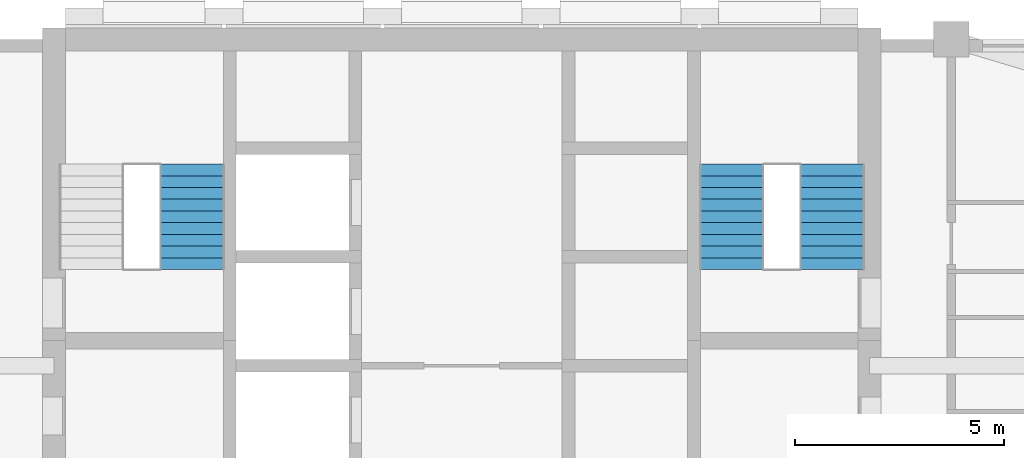
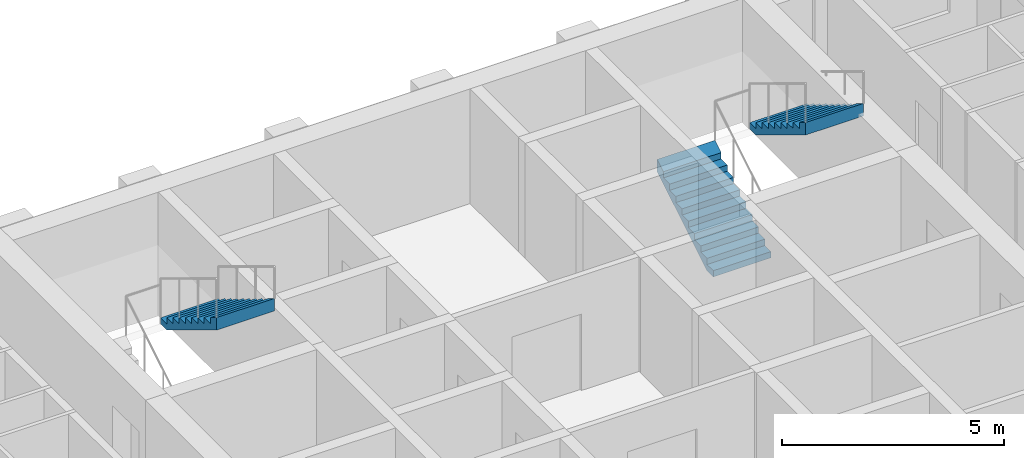
# One storey, part 11 of 13: 3 stair flights, 2 elements without a shape of their own.
"""IFC4 building model written with IfcOpenShell, lengths in metres."""

from ifc_helpers import new_model, si_unit, direction, frame, origin, place, context, subcontext, project, spatial, triangles, material, type_object, element, aggregate, save


model = new_model("IFC4")

# Units and contexts
model_context = context("Model", 3, precision=1e-05, world=origin(), true_north=direction((0.0, 1.0)))
body_context = subcontext(model_context, "Body", "Model", "MODEL_VIEW")
ifc_project = project(units=[si_unit("LENGTHUNIT", "METRE"), si_unit("AREAUNIT", "SQUARE_METRE"), si_unit("VOLUMEUNIT", "CUBIC_METRE"), si_unit("PLANEANGLEUNIT", "RADIAN"), si_unit("MASSUNIT", "GRAM", prefix="KILO")], contexts=[model_context])

# Site, building, storey
site_placement = place(None, origin())
site = spatial("IfcSite", under=ifc_project, at=site_placement, CompositionType="ELEMENT")
building_placement = place(site_placement, origin())
building = spatial("IfcBuilding", under=site, at=building_placement, Name="Ludao Terraces", CompositionType="ELEMENT")
storey_placement = place(building_placement, frame((0.0, 0.0, 130.5)))
storey = spatial("IfcBuildingStorey", under=building, at=storey_placement, Name="L35", CompositionType="ELEMENT", Elevation=130.5)

# Stair, stair flight
ifc_material = material(Name="Concrete C40", Category="concrete")
stair_type = type_object("IfcStairType", Name="INT Stair", PredefinedType="HALF_TURN_STAIR", material=ifc_material)
stair_1_placement = place(storey_placement, origin())
stair_1 = element("IfcStair", 1, at=stair_1_placement, inside=storey, type_object=stair_type, Name="EXIT STAIR 1", PredefinedType="HALF_TURN_STAIR")
stair_flight_type = type_object("IfcStairFlightType", Name="INT Stair flight", PredefinedType="STRAIGHT", material=ifc_material)
stair_flight_1_placement = place(storey_placement, frame((78.550048828125, 81.52001953125, 1.699951171875), z_axis=(0.0, 0.0, 1.0), x_axis=(0.0, -1.0, 0.0)))
stair_flight_1 = element("IfcStairFlight", 2, at=stair_flight_1_placement, type_object=stair_flight_type, Name="ST1 flight 2", NumberOfRisers=10, NumberOfTreads=9, PredefinedType="STRAIGHT", RiserHeight=0.17, TreadLength=0.28, context=body_context, shape_type="Tessellation", body=[
    triangles([(0.0, -0.75, 0.0), (0.0, -0.5, 0.0), (0.0, -0.25, 0.0), (0.0, 0.0, 0.0), (0.0, 0.25, 0.0), (0.0, 0.5, 0.0), (0.0, 0.75, 0.0), (0.0, -0.75, 0.169921875), (0.0, -0.5, 0.169921875), (0.0, -0.25, 0.169921875), (0.0, 0.0, 0.169921875), (0.0, 0.25, 0.169921875), (0.0, 0.5, 0.169921875), (0.0, 0.75, 0.169921875), (0.280029296875, -0.75, 0.169921875), (0.280029296875, -0.5, 0.169921875), (0.280029296875, -0.25, 0.169921875), (0.280029296875, 0.0, 0.169921875), (0.280029296875, 0.25, 0.169921875), (0.280029296875, 0.5, 0.169921875), (0.280029296875, 0.75, 0.169921875), (0.280029296875, -0.75, 0.340087890625), (0.280029296875, -0.5, 0.340087890625), (0.280029296875, -0.25, 0.340087890625), (0.280029296875, 0.0, 0.340087890625), (0.280029296875, 0.25, 0.340087890625), (0.280029296875, 0.5, 0.340087890625), (0.280029296875, 0.75, 0.340087890625), (0.56005859375, -0.75, 0.340087890625), (0.56005859375, -0.5, 0.340087890625), (0.56005859375, -0.25, 0.340087890625), (0.56005859375, 0.0, 0.340087890625), (0.56005859375, 0.25, 0.340087890625), (0.56005859375, 0.5, 0.340087890625), (0.56005859375, 0.75, 0.340087890625), (0.56005859375, -0.75, 0.510009765625), (0.56005859375, -0.5, 0.510009765625), (0.56005859375, -0.25, 0.510009765625), (0.56005859375, 0.0, 0.510009765625), (0.56005859375, 0.25, 0.510009765625), (0.56005859375, 0.5, 0.510009765625), (0.56005859375, 0.75, 0.510009765625), (0.840087890625, -0.75, 0.510009765625), (0.840087890625, -0.5, 0.510009765625), (0.840087890625, -0.25, 0.510009765625), (0.840087890625, 0.0, 0.510009765625), (0.840087890625, 0.25, 0.510009765625), (0.840087890625, 0.5, 0.510009765625), (0.840087890625, 0.75, 0.510009765625), (0.840087890625, -0.75, 0.679931640625), (0.840087890625, -0.5, 0.679931640625), (0.840087890625, -0.25, 0.679931640625), (0.840087890625, 0.0, 0.679931640625), (0.840087890625, 0.25, 0.679931640625), (0.840087890625, 0.5, 0.679931640625), (0.840087890625, 0.75, 0.679931640625), (1.1201171875, -0.75, 0.679931640625), (1.1201171875, -0.5, 0.679931640625), (1.1201171875, -0.25, 0.679931640625), (1.1201171875, 0.0, 0.679931640625), (1.1201171875, 0.25, 0.679931640625), (1.1201171875, 0.5, 0.679931640625), (1.1201171875, 0.75, 0.679931640625), (1.1201171875, -0.75, 0.85009765625), (1.1201171875, -0.5, 0.85009765625), (1.1201171875, -0.25, 0.85009765625), (1.1201171875, 0.0, 0.85009765625), (1.1201171875, 0.25, 0.85009765625), (1.1201171875, 0.5, 0.85009765625), (1.1201171875, 0.75, 0.85009765625), (1.39990234375, -0.75, 0.85009765625), (1.39990234375, -0.5, 0.85009765625), (1.39990234375, -0.25, 0.85009765625), (1.39990234375, 0.0, 0.85009765625), (1.39990234375, 0.25, 0.85009765625), (1.39990234375, 0.5, 0.85009765625), (1.39990234375, 0.75, 0.85009765625), (1.39990234375, -0.75, 1.02001953125), (1.39990234375, -0.5, 1.02001953125), (1.39990234375, -0.25, 1.02001953125), (1.39990234375, 0.0, 1.02001953125), (1.39990234375, 0.25, 1.02001953125), (1.39990234375, 0.5, 1.02001953125), (1.39990234375, 0.75, 1.02001953125), (1.679931640625, -0.75, 1.02001953125), (1.679931640625, -0.5, 1.02001953125), (1.679931640625, -0.25, 1.02001953125), (1.679931640625, 0.0, 1.02001953125), (1.679931640625, 0.25, 1.02001953125), (1.679931640625, 0.5, 1.02001953125), (1.679931640625, 0.75, 1.02001953125), (1.679931640625, -0.75, 1.18994140625), (1.679931640625, -0.5, 1.18994140625), (1.679931640625, -0.25, 1.18994140625), (1.679931640625, 0.0, 1.18994140625), (1.679931640625, 0.25, 1.18994140625), (1.679931640625, 0.5, 1.18994140625), (1.679931640625, 0.75, 1.18994140625), (1.9599609375, -0.75, 1.18994140625), (1.9599609375, -0.5, 1.18994140625), (1.9599609375, -0.25, 1.18994140625), (1.9599609375, 0.0, 1.18994140625), (1.9599609375, 0.25, 1.18994140625), (1.9599609375, 0.5, 1.18994140625), (1.9599609375, 0.75, 1.18994140625), (1.9599609375, -0.75, 1.360107421875), (1.9599609375, -0.5, 1.360107421875), (1.9599609375, -0.25, 1.360107421875), (1.9599609375, 0.0, 1.360107421875), (1.9599609375, 0.25, 1.360107421875), (1.9599609375, 0.5, 1.360107421875), (1.9599609375, 0.75, 1.360107421875), (2.239990234375, -0.75, 1.360107421875), (2.239990234375, -0.5, 1.360107421875), (2.239990234375, -0.25, 1.360107421875), (2.239990234375, 0.0, 1.360107421875), (2.239990234375, 0.25, 1.360107421875), (2.239990234375, 0.5, 1.360107421875), (2.239990234375, 0.75, 1.360107421875), (2.239990234375, -0.75, 1.530029296875), (2.239990234375, -0.5, 1.530029296875), (2.239990234375, -0.25, 1.530029296875), (2.239990234375, 0.0, 1.530029296875), (2.239990234375, 0.25, 1.530029296875), (2.239990234375, 0.5, 1.530029296875), (2.239990234375, 0.75, 1.530029296875), (2.52001953125, -0.75, 1.699951171875), (2.52001953125, -0.5, 1.699951171875), (2.52001953125, -0.25, 1.699951171875), (2.52001953125, 0.0, 1.699951171875), (2.52001953125, 0.25, 1.699951171875), (2.52001953125, 0.5, 1.699951171875), (2.52001953125, 0.75, 1.699951171875), (2.52001953125, -0.75, 1.354736328125), (2.52001953125, -0.5, 1.354736328125), (2.52001953125, -0.25, 1.354736328125), (2.52001953125, 0.0, 1.354736328125), (2.52001953125, 0.25, 1.354736328125), (2.52001953125, 0.5, 1.354736328125), (2.52001953125, 0.75, 1.354736328125), (0.288818359375, -0.75, 0.0), (0.288818359375, -0.5, 0.0), (0.288818359375, -0.25, 0.0), (0.288818359375, 0.0, 0.0), (0.288818359375, 0.25, 0.0), (0.288818359375, 0.5, 0.0), (0.288818359375, 0.75, 0.0)], [[1, 141, 134], [7, 140, 147], [134, 127, 120], [140, 126, 133], [134, 120, 113], [140, 119, 126], [134, 113, 106], [140, 112, 119], [134, 106, 99], [140, 105, 112], [99, 92, 85], [105, 91, 98], [134, 99, 85], [140, 91, 105], [85, 78, 71], [91, 77, 84], [134, 85, 71], [140, 77, 91], [71, 64, 57], [77, 63, 70], [134, 71, 57], [140, 63, 77], [57, 50, 43], [63, 49, 56], [134, 57, 43], [140, 49, 63], [43, 36, 29], [49, 35, 42], [134, 43, 29], [140, 35, 49], [29, 22, 15], [35, 21, 28], [134, 29, 15], [140, 21, 35], [1, 134, 15], [7, 21, 140], [15, 8, 1], [21, 7, 14], [1, 9, 2], [1, 8, 9], [2, 10, 3], [2, 9, 10], [3, 11, 4], [3, 10, 11], [4, 12, 5], [4, 11, 12], [5, 13, 6], [5, 12, 13], [6, 14, 7], [6, 13, 14], [8, 16, 9], [8, 15, 16], [9, 17, 10], [9, 16, 17], [10, 18, 11], [10, 17, 18], [11, 19, 12], [11, 18, 19], [12, 20, 13], [12, 19, 20], [13, 21, 14], [13, 20, 21], [15, 23, 16], [15, 22, 23], [16, 24, 17], [16, 23, 24], [17, 25, 18], [17, 24, 25], [18, 26, 19], [18, 25, 26], [19, 27, 20], [19, 26, 27], [20, 28, 21], [20, 27, 28], [22, 30, 23], [22, 29, 30], [23, 31, 24], [23, 30, 31], [24, 32, 25], [24, 31, 32], [25, 33, 26], [25, 32, 33], [26, 34, 27], [26, 33, 34], [27, 35, 28], [27, 34, 35], [29, 37, 30], [29, 36, 37], [30, 38, 31], [30, 37, 38], [31, 39, 32], [31, 38, 39], [32, 40, 33], [32, 39, 40], [33, 41, 34], [33, 40, 41], [34, 42, 35], [34, 41, 42], [36, 44, 37], [36, 43, 44], [37, 45, 38], [37, 44, 45], [38, 46, 39], [38, 45, 46], [39, 47, 40], [39, 46, 47], [40, 48, 41], [40, 47, 48], [41, 49, 42], [41, 48, 49], [43, 51, 44], [43, 50, 51], [44, 52, 45], [44, 51, 52], [45, 53, 46], [45, 52, 53], [46, 54, 47], [46, 53, 54], [47, 55, 48], [47, 54, 55], [48, 56, 49], [48, 55, 56], [50, 58, 51], [50, 57, 58], [51, 59, 52], [51, 58, 59], [52, 60, 53], [52, 59, 60], [53, 61, 54], [53, 60, 61], [54, 62, 55], [54, 61, 62], [55, 63, 56], [55, 62, 63], [57, 65, 58], [57, 64, 65], [58, 66, 59], [58, 65, 66], [59, 67, 60], [59, 66, 67], [60, 68, 61], [60, 67, 68], [61, 69, 62], [61, 68, 69], [62, 70, 63], [62, 69, 70], [64, 72, 65], [64, 71, 72], [65, 73, 66], [65, 72, 73], [66, 74, 67], [66, 73, 74], [67, 75, 68], [67, 74, 75], [68, 76, 69], [68, 75, 76], [69, 77, 70], [69, 76, 77], [71, 79, 72], [71, 78, 79], [72, 80, 73], [72, 79, 80], [73, 81, 74], [73, 80, 81], [74, 82, 75], [74, 81, 82], [75, 83, 76], [75, 82, 83], [76, 84, 77], [76, 83, 84], [78, 86, 79], [78, 85, 86], [79, 87, 80], [79, 86, 87], [80, 88, 81], [80, 87, 88], [81, 89, 82], [81, 88, 89], [82, 90, 83], [82, 89, 90], [83, 91, 84], [83, 90, 91], [85, 93, 86], [85, 92, 93], [86, 94, 87], [86, 93, 94], [87, 95, 88], [87, 94, 95], [88, 96, 89], [88, 95, 96], [89, 97, 90], [89, 96, 97], [90, 98, 91], [90, 97, 98], [92, 100, 93], [92, 99, 100], [93, 101, 94], [93, 100, 101], [94, 102, 95], [94, 101, 102], [95, 103, 96], [95, 102, 103], [96, 104, 97], [96, 103, 104], [97, 105, 98], [97, 104, 105], [99, 107, 100], [99, 106, 107], [100, 108, 101], [100, 107, 108], [101, 109, 102], [101, 108, 109], [102, 110, 103], [102, 109, 110], [103, 111, 104], [103, 110, 111], [104, 112, 105], [104, 111, 112], [106, 114, 107], [106, 113, 114], [107, 115, 108], [107, 114, 115], [108, 116, 109], [108, 115, 116], [109, 117, 110], [109, 116, 117], [110, 118, 111], [110, 117, 118], [111, 119, 112], [111, 118, 119], [113, 121, 114], [113, 120, 121], [114, 122, 115], [114, 121, 122], [115, 123, 116], [115, 122, 123], [116, 124, 117], [116, 123, 124], [117, 125, 118], [117, 124, 125], [118, 126, 119], [118, 125, 126], [120, 128, 121], [120, 127, 128], [121, 129, 122], [121, 128, 129], [122, 130, 123], [122, 129, 130], [123, 131, 124], [123, 130, 131], [124, 132, 125], [124, 131, 132], [125, 133, 126], [125, 132, 133], [127, 135, 128], [127, 134, 135], [128, 136, 129], [128, 135, 136], [129, 137, 130], [129, 136, 137], [130, 138, 131], [130, 137, 138], [131, 139, 132], [131, 138, 139], [132, 140, 133], [132, 139, 140], [134, 142, 135], [134, 141, 142], [135, 143, 136], [135, 142, 143], [136, 144, 137], [136, 143, 144], [137, 145, 138], [137, 144, 145], [138, 146, 139], [138, 145, 146], [139, 147, 140], [139, 146, 147], [141, 2, 142], [141, 1, 2], [142, 3, 143], [142, 2, 3], [143, 4, 144], [143, 3, 4], [144, 5, 145], [144, 4, 5], [145, 6, 146], [145, 5, 6], [146, 7, 147], [146, 6, 7]], closed=True),
])
aggregate(stair_1, [stair_flight_1])

# Stair, stair flights
stair_2_placement = place(storey_placement, origin())
stair_2 = element("IfcStair", 3, at=stair_2_placement, inside=storey, type_object=stair_type, Name="EXIT STAIR 2", PredefinedType="HALF_TURN_STAIR")
stair_flight_2_placement = place(storey_placement, frame((91.449951171875, 79.0, 0.0), z_axis=(0.0, 0.0, 1.0), x_axis=(0.0, 1.0, 0.0)))
stair_flight_2 = element("IfcStairFlight", 4, at=stair_flight_2_placement, type_object=stair_flight_type, Name="ST2 flight 1", NumberOfRisers=10, NumberOfTreads=9, PredefinedType="STRAIGHT", RiserHeight=0.17, TreadLength=0.28, context=body_context, shape_type="Tessellation", body=[
    triangles([(0.0, -0.75, 0.0), (0.0, -0.5, 0.0), (0.0, -0.25, 0.0), (0.0, 0.0, 0.0), (0.0, 0.25, 0.0), (0.0, 0.5, 0.0), (0.0, 0.75, 0.0), (0.0, -0.75, 0.169921875), (0.0, -0.5, 0.169921875), (0.0, -0.25, 0.169921875), (0.0, 0.0, 0.169921875), (0.0, 0.25, 0.169921875), (0.0, 0.5, 0.169921875), (0.0, 0.75, 0.169921875), (0.280029296875, -0.75, 0.169921875), (0.280029296875, -0.5, 0.169921875), (0.280029296875, -0.25, 0.169921875), (0.280029296875, 0.0, 0.169921875), (0.280029296875, 0.25, 0.169921875), (0.280029296875, 0.5, 0.169921875), (0.280029296875, 0.75, 0.169921875), (0.280029296875, -0.75, 0.340087890625), (0.280029296875, -0.5, 0.340087890625), (0.280029296875, -0.25, 0.340087890625), (0.280029296875, 0.0, 0.340087890625), (0.280029296875, 0.25, 0.340087890625), (0.280029296875, 0.5, 0.340087890625), (0.280029296875, 0.75, 0.340087890625), (0.56005859375, -0.75, 0.340087890625), (0.56005859375, -0.5, 0.340087890625), (0.56005859375, -0.25, 0.340087890625), (0.56005859375, 0.0, 0.340087890625), (0.56005859375, 0.25, 0.340087890625), (0.56005859375, 0.5, 0.340087890625), (0.56005859375, 0.75, 0.340087890625), (0.56005859375, -0.75, 0.510009765625), (0.56005859375, -0.5, 0.510009765625), (0.56005859375, -0.25, 0.510009765625), (0.56005859375, 0.0, 0.510009765625), (0.56005859375, 0.25, 0.510009765625), (0.56005859375, 0.5, 0.510009765625), (0.56005859375, 0.75, 0.510009765625), (0.840087890625, -0.75, 0.510009765625), (0.840087890625, -0.5, 0.510009765625), (0.840087890625, -0.25, 0.510009765625), (0.840087890625, 0.0, 0.510009765625), (0.840087890625, 0.25, 0.510009765625), (0.840087890625, 0.5, 0.510009765625), (0.840087890625, 0.75, 0.510009765625), (0.840087890625, -0.75, 0.679931640625), (0.840087890625, -0.5, 0.679931640625), (0.840087890625, -0.25, 0.679931640625), (0.840087890625, 0.0, 0.679931640625), (0.840087890625, 0.25, 0.679931640625), (0.840087890625, 0.5, 0.679931640625), (0.840087890625, 0.75, 0.679931640625), (1.1201171875, -0.75, 0.679931640625), (1.1201171875, -0.5, 0.679931640625), (1.1201171875, -0.25, 0.679931640625), (1.1201171875, 0.0, 0.679931640625), (1.1201171875, 0.25, 0.679931640625), (1.1201171875, 0.5, 0.679931640625), (1.1201171875, 0.75, 0.679931640625), (1.1201171875, -0.75, 0.85009765625), (1.1201171875, -0.5, 0.85009765625), (1.1201171875, -0.25, 0.85009765625), (1.1201171875, 0.0, 0.85009765625), (1.1201171875, 0.25, 0.85009765625), (1.1201171875, 0.5, 0.85009765625), (1.1201171875, 0.75, 0.85009765625), (1.39990234375, -0.75, 0.85009765625), (1.39990234375, -0.5, 0.85009765625), (1.39990234375, -0.25, 0.85009765625), (1.39990234375, 0.0, 0.85009765625), (1.39990234375, 0.25, 0.85009765625), (1.39990234375, 0.5, 0.85009765625), (1.39990234375, 0.75, 0.85009765625), (1.39990234375, -0.75, 1.02001953125), (1.39990234375, -0.5, 1.02001953125), (1.39990234375, -0.25, 1.02001953125), (1.39990234375, 0.0, 1.02001953125), (1.39990234375, 0.25, 1.02001953125), (1.39990234375, 0.5, 1.02001953125), (1.39990234375, 0.75, 1.02001953125), (1.679931640625, -0.75, 1.02001953125), (1.679931640625, -0.5, 1.02001953125), (1.679931640625, -0.25, 1.02001953125), (1.679931640625, 0.0, 1.02001953125), (1.679931640625, 0.25, 1.02001953125), (1.679931640625, 0.5, 1.02001953125), (1.679931640625, 0.75, 1.02001953125), (1.679931640625, -0.75, 1.18994140625), (1.679931640625, -0.5, 1.18994140625), (1.679931640625, -0.25, 1.18994140625), (1.679931640625, 0.0, 1.18994140625), (1.679931640625, 0.25, 1.18994140625), (1.679931640625, 0.5, 1.18994140625), (1.679931640625, 0.75, 1.18994140625), (1.9599609375, -0.75, 1.18994140625), (1.9599609375, -0.5, 1.18994140625), (1.9599609375, -0.25, 1.18994140625), (1.9599609375, 0.0, 1.18994140625), (1.9599609375, 0.25, 1.18994140625), (1.9599609375, 0.5, 1.18994140625), (1.9599609375, 0.75, 1.18994140625), (1.9599609375, -0.75, 1.360107421875), (1.9599609375, -0.5, 1.360107421875), (1.9599609375, -0.25, 1.360107421875), (1.9599609375, 0.0, 1.360107421875), (1.9599609375, 0.25, 1.360107421875), (1.9599609375, 0.5, 1.360107421875), (1.9599609375, 0.75, 1.360107421875), (2.239990234375, -0.75, 1.360107421875), (2.239990234375, -0.5, 1.360107421875), (2.239990234375, -0.25, 1.360107421875), (2.239990234375, 0.0, 1.360107421875), (2.239990234375, 0.25, 1.360107421875), (2.239990234375, 0.5, 1.360107421875), (2.239990234375, 0.75, 1.360107421875), (2.239990234375, -0.75, 1.530029296875), (2.239990234375, -0.5, 1.530029296875), (2.239990234375, -0.25, 1.530029296875), (2.239990234375, 0.0, 1.530029296875), (2.239990234375, 0.25, 1.530029296875), (2.239990234375, 0.5, 1.530029296875), (2.239990234375, 0.75, 1.530029296875), (2.52001953125, -0.75, 1.699951171875), (2.52001953125, -0.5, 1.699951171875), (2.52001953125, -0.25, 1.699951171875), (2.52001953125, 0.0, 1.699951171875), (2.52001953125, 0.25, 1.699951171875), (2.52001953125, 0.5, 1.699951171875), (2.52001953125, 0.75, 1.699951171875), (2.52001953125, -0.75, 1.354736328125), (2.52001953125, -0.5, 1.354736328125), (2.52001953125, -0.25, 1.354736328125), (2.52001953125, 0.0, 1.354736328125), (2.52001953125, 0.25, 1.354736328125), (2.52001953125, 0.5, 1.354736328125), (2.52001953125, 0.75, 1.354736328125), (0.288818359375, -0.75, 0.0), (0.288818359375, -0.5, 0.0), (0.288818359375, -0.25, 0.0), (0.288818359375, 0.0, 0.0), (0.288818359375, 0.25, 0.0), (0.288818359375, 0.5, 0.0), (0.288818359375, 0.75, 0.0)], [[1, 141, 134], [7, 140, 147], [134, 127, 120], [140, 126, 133], [134, 120, 113], [140, 119, 126], [134, 113, 106], [140, 112, 119], [134, 106, 99], [140, 105, 112], [99, 92, 85], [105, 91, 98], [134, 99, 85], [140, 91, 105], [85, 78, 71], [91, 77, 84], [134, 85, 71], [140, 77, 91], [71, 64, 57], [77, 63, 70], [134, 71, 57], [140, 63, 77], [57, 50, 43], [63, 49, 56], [134, 57, 43], [140, 49, 63], [43, 36, 29], [49, 35, 42], [134, 43, 29], [140, 35, 49], [29, 22, 15], [35, 21, 28], [134, 29, 15], [140, 21, 35], [1, 134, 15], [7, 21, 140], [15, 8, 1], [21, 7, 14], [1, 9, 2], [1, 8, 9], [2, 10, 3], [2, 9, 10], [3, 11, 4], [3, 10, 11], [4, 12, 5], [4, 11, 12], [5, 13, 6], [5, 12, 13], [6, 14, 7], [6, 13, 14], [8, 16, 9], [8, 15, 16], [9, 17, 10], [9, 16, 17], [10, 18, 11], [10, 17, 18], [11, 19, 12], [11, 18, 19], [12, 20, 13], [12, 19, 20], [13, 21, 14], [13, 20, 21], [15, 23, 16], [15, 22, 23], [16, 24, 17], [16, 23, 24], [17, 25, 18], [17, 24, 25], [18, 26, 19], [18, 25, 26], [19, 27, 20], [19, 26, 27], [20, 28, 21], [20, 27, 28], [22, 30, 23], [22, 29, 30], [23, 31, 24], [23, 30, 31], [24, 32, 25], [24, 31, 32], [25, 33, 26], [25, 32, 33], [26, 34, 27], [26, 33, 34], [27, 35, 28], [27, 34, 35], [29, 37, 30], [29, 36, 37], [30, 38, 31], [30, 37, 38], [31, 39, 32], [31, 38, 39], [32, 40, 33], [32, 39, 40], [33, 41, 34], [33, 40, 41], [34, 42, 35], [34, 41, 42], [36, 44, 37], [36, 43, 44], [37, 45, 38], [37, 44, 45], [38, 46, 39], [38, 45, 46], [39, 47, 40], [39, 46, 47], [40, 48, 41], [40, 47, 48], [41, 49, 42], [41, 48, 49], [43, 51, 44], [43, 50, 51], [44, 52, 45], [44, 51, 52], [45, 53, 46], [45, 52, 53], [46, 54, 47], [46, 53, 54], [47, 55, 48], [47, 54, 55], [48, 56, 49], [48, 55, 56], [50, 58, 51], [50, 57, 58], [51, 59, 52], [51, 58, 59], [52, 60, 53], [52, 59, 60], [53, 61, 54], [53, 60, 61], [54, 62, 55], [54, 61, 62], [55, 63, 56], [55, 62, 63], [57, 65, 58], [57, 64, 65], [58, 66, 59], [58, 65, 66], [59, 67, 60], [59, 66, 67], [60, 68, 61], [60, 67, 68], [61, 69, 62], [61, 68, 69], [62, 70, 63], [62, 69, 70], [64, 72, 65], [64, 71, 72], [65, 73, 66], [65, 72, 73], [66, 74, 67], [66, 73, 74], [67, 75, 68], [67, 74, 75], [68, 76, 69], [68, 75, 76], [69, 77, 70], [69, 76, 77], [71, 79, 72], [71, 78, 79], [72, 80, 73], [72, 79, 80], [73, 81, 74], [73, 80, 81], [74, 82, 75], [74, 81, 82], [75, 83, 76], [75, 82, 83], [76, 84, 77], [76, 83, 84], [78, 86, 79], [78, 85, 86], [79, 87, 80], [79, 86, 87], [80, 88, 81], [80, 87, 88], [81, 89, 82], [81, 88, 89], [82, 90, 83], [82, 89, 90], [83, 91, 84], [83, 90, 91], [85, 93, 86], [85, 92, 93], [86, 94, 87], [86, 93, 94], [87, 95, 88], [87, 94, 95], [88, 96, 89], [88, 95, 96], [89, 97, 90], [89, 96, 97], [90, 98, 91], [90, 97, 98], [92, 100, 93], [92, 99, 100], [93, 101, 94], [93, 100, 101], [94, 102, 95], [94, 101, 102], [95, 103, 96], [95, 102, 103], [96, 104, 97], [96, 103, 104], [97, 105, 98], [97, 104, 105], [99, 107, 100], [99, 106, 107], [100, 108, 101], [100, 107, 108], [101, 109, 102], [101, 108, 109], [102, 110, 103], [102, 109, 110], [103, 111, 104], [103, 110, 111], [104, 112, 105], [104, 111, 112], [106, 114, 107], [106, 113, 114], [107, 115, 108], [107, 114, 115], [108, 116, 109], [108, 115, 116], [109, 117, 110], [109, 116, 117], [110, 118, 111], [110, 117, 118], [111, 119, 112], [111, 118, 119], [113, 121, 114], [113, 120, 121], [114, 122, 115], [114, 121, 122], [115, 123, 116], [115, 122, 123], [116, 124, 117], [116, 123, 124], [117, 125, 118], [117, 124, 125], [118, 126, 119], [118, 125, 126], [120, 128, 121], [120, 127, 128], [121, 129, 122], [121, 128, 129], [122, 130, 123], [122, 129, 130], [123, 131, 124], [123, 130, 131], [124, 132, 125], [124, 131, 132], [125, 133, 126], [125, 132, 133], [127, 135, 128], [127, 134, 135], [128, 136, 129], [128, 135, 136], [129, 137, 130], [129, 136, 137], [130, 138, 131], [130, 137, 138], [131, 139, 132], [131, 138, 139], [132, 140, 133], [132, 139, 140], [134, 142, 135], [134, 141, 142], [135, 143, 136], [135, 142, 143], [136, 144, 137], [136, 143, 144], [137, 145, 138], [137, 144, 145], [138, 146, 139], [138, 145, 146], [139, 147, 140], [139, 146, 147], [141, 2, 142], [141, 1, 2], [142, 3, 143], [142, 2, 3], [143, 4, 144], [143, 3, 4], [144, 5, 145], [144, 4, 5], [145, 6, 146], [145, 5, 6], [146, 7, 147], [146, 6, 7]], closed=True),
])
stair_flight_3_placement = place(storey_placement, frame((93.85009765625, 81.52001953125, 1.699951171875), z_axis=(0.0, 0.0, 1.0), x_axis=(0.0, -1.0, 0.0)))
stair_flight_3 = element("IfcStairFlight", 5, at=stair_flight_3_placement, type_object=stair_flight_type, Name="ST2 flight 2", NumberOfRisers=10, NumberOfTreads=9, PredefinedType="STRAIGHT", RiserHeight=0.17, TreadLength=0.28, context=body_context, shape_type="Tessellation", body=[
    triangles([(0.0, -0.75, 0.0), (0.0, -0.5, 0.0), (0.0, -0.25, 0.0), (0.0, 0.0, 0.0), (0.0, 0.25, 0.0), (0.0, 0.5, 0.0), (0.0, 0.75, 0.0), (0.0, -0.75, 0.169921875), (0.0, -0.5, 0.169921875), (0.0, -0.25, 0.169921875), (0.0, 0.0, 0.169921875), (0.0, 0.25, 0.169921875), (0.0, 0.5, 0.169921875), (0.0, 0.75, 0.169921875), (0.280029296875, -0.75, 0.169921875), (0.280029296875, -0.5, 0.169921875), (0.280029296875, -0.25, 0.169921875), (0.280029296875, 0.0, 0.169921875), (0.280029296875, 0.25, 0.169921875), (0.280029296875, 0.5, 0.169921875), (0.280029296875, 0.75, 0.169921875), (0.280029296875, -0.75, 0.340087890625), (0.280029296875, -0.5, 0.340087890625), (0.280029296875, -0.25, 0.340087890625), (0.280029296875, 0.0, 0.340087890625), (0.280029296875, 0.25, 0.340087890625), (0.280029296875, 0.5, 0.340087890625), (0.280029296875, 0.75, 0.340087890625), (0.56005859375, -0.75, 0.340087890625), (0.56005859375, -0.5, 0.340087890625), (0.56005859375, -0.25, 0.340087890625), (0.56005859375, 0.0, 0.340087890625), (0.56005859375, 0.25, 0.340087890625), (0.56005859375, 0.5, 0.340087890625), (0.56005859375, 0.75, 0.340087890625), (0.56005859375, -0.75, 0.510009765625), (0.56005859375, -0.5, 0.510009765625), (0.56005859375, -0.25, 0.510009765625), (0.56005859375, 0.0, 0.510009765625), (0.56005859375, 0.25, 0.510009765625), (0.56005859375, 0.5, 0.510009765625), (0.56005859375, 0.75, 0.510009765625), (0.840087890625, -0.75, 0.510009765625), (0.840087890625, -0.5, 0.510009765625), (0.840087890625, -0.25, 0.510009765625), (0.840087890625, 0.0, 0.510009765625), (0.840087890625, 0.25, 0.510009765625), (0.840087890625, 0.5, 0.510009765625), (0.840087890625, 0.75, 0.510009765625), (0.840087890625, -0.75, 0.679931640625), (0.840087890625, -0.5, 0.679931640625), (0.840087890625, -0.25, 0.679931640625), (0.840087890625, 0.0, 0.679931640625), (0.840087890625, 0.25, 0.679931640625), (0.840087890625, 0.5, 0.679931640625), (0.840087890625, 0.75, 0.679931640625), (1.1201171875, -0.75, 0.679931640625), (1.1201171875, -0.5, 0.679931640625), (1.1201171875, -0.25, 0.679931640625), (1.1201171875, 0.0, 0.679931640625), (1.1201171875, 0.25, 0.679931640625), (1.1201171875, 0.5, 0.679931640625), (1.1201171875, 0.75, 0.679931640625), (1.1201171875, -0.75, 0.85009765625), (1.1201171875, -0.5, 0.85009765625), (1.1201171875, -0.25, 0.85009765625), (1.1201171875, 0.0, 0.85009765625), (1.1201171875, 0.25, 0.85009765625), (1.1201171875, 0.5, 0.85009765625), (1.1201171875, 0.75, 0.85009765625), (1.39990234375, -0.75, 0.85009765625), (1.39990234375, -0.5, 0.85009765625), (1.39990234375, -0.25, 0.85009765625), (1.39990234375, 0.0, 0.85009765625), (1.39990234375, 0.25, 0.85009765625), (1.39990234375, 0.5, 0.85009765625), (1.39990234375, 0.75, 0.85009765625), (1.39990234375, -0.75, 1.02001953125), (1.39990234375, -0.5, 1.02001953125), (1.39990234375, -0.25, 1.02001953125), (1.39990234375, 0.0, 1.02001953125), (1.39990234375, 0.25, 1.02001953125), (1.39990234375, 0.5, 1.02001953125), (1.39990234375, 0.75, 1.02001953125), (1.679931640625, -0.75, 1.02001953125), (1.679931640625, -0.5, 1.02001953125), (1.679931640625, -0.25, 1.02001953125), (1.679931640625, 0.0, 1.02001953125), (1.679931640625, 0.25, 1.02001953125), (1.679931640625, 0.5, 1.02001953125), (1.679931640625, 0.75, 1.02001953125), (1.679931640625, -0.75, 1.18994140625), (1.679931640625, -0.5, 1.18994140625), (1.679931640625, -0.25, 1.18994140625), (1.679931640625, 0.0, 1.18994140625), (1.679931640625, 0.25, 1.18994140625), (1.679931640625, 0.5, 1.18994140625), (1.679931640625, 0.75, 1.18994140625), (1.9599609375, -0.75, 1.18994140625), (1.9599609375, -0.5, 1.18994140625), (1.9599609375, -0.25, 1.18994140625), (1.9599609375, 0.0, 1.18994140625), (1.9599609375, 0.25, 1.18994140625), (1.9599609375, 0.5, 1.18994140625), (1.9599609375, 0.75, 1.18994140625), (1.9599609375, -0.75, 1.360107421875), (1.9599609375, -0.5, 1.360107421875), (1.9599609375, -0.25, 1.360107421875), (1.9599609375, 0.0, 1.360107421875), (1.9599609375, 0.25, 1.360107421875), (1.9599609375, 0.5, 1.360107421875), (1.9599609375, 0.75, 1.360107421875), (2.239990234375, -0.75, 1.360107421875), (2.239990234375, -0.5, 1.360107421875), (2.239990234375, -0.25, 1.360107421875), (2.239990234375, 0.0, 1.360107421875), (2.239990234375, 0.25, 1.360107421875), (2.239990234375, 0.5, 1.360107421875), (2.239990234375, 0.75, 1.360107421875), (2.239990234375, -0.75, 1.530029296875), (2.239990234375, -0.5, 1.530029296875), (2.239990234375, -0.25, 1.530029296875), (2.239990234375, 0.0, 1.530029296875), (2.239990234375, 0.25, 1.530029296875), (2.239990234375, 0.5, 1.530029296875), (2.239990234375, 0.75, 1.530029296875), (2.52001953125, -0.75, 1.699951171875), (2.52001953125, -0.5, 1.699951171875), (2.52001953125, -0.25, 1.699951171875), (2.52001953125, 0.0, 1.699951171875), (2.52001953125, 0.25, 1.699951171875), (2.52001953125, 0.5, 1.699951171875), (2.52001953125, 0.75, 1.699951171875), (2.52001953125, -0.75, 1.354736328125), (2.52001953125, -0.5, 1.354736328125), (2.52001953125, -0.25, 1.354736328125), (2.52001953125, 0.0, 1.354736328125), (2.52001953125, 0.25, 1.354736328125), (2.52001953125, 0.5, 1.354736328125), (2.52001953125, 0.75, 1.354736328125), (0.288818359375, -0.75, 0.0), (0.288818359375, -0.5, 0.0), (0.288818359375, -0.25, 0.0), (0.288818359375, 0.0, 0.0), (0.288818359375, 0.25, 0.0), (0.288818359375, 0.5, 0.0), (0.288818359375, 0.75, 0.0)], [[1, 141, 134], [7, 140, 147], [134, 127, 120], [140, 126, 133], [134, 120, 113], [140, 119, 126], [134, 113, 106], [140, 112, 119], [134, 106, 99], [140, 105, 112], [99, 92, 85], [105, 91, 98], [134, 99, 85], [140, 91, 105], [85, 78, 71], [91, 77, 84], [134, 85, 71], [140, 77, 91], [71, 64, 57], [77, 63, 70], [134, 71, 57], [140, 63, 77], [57, 50, 43], [63, 49, 56], [134, 57, 43], [140, 49, 63], [43, 36, 29], [49, 35, 42], [134, 43, 29], [140, 35, 49], [29, 22, 15], [35, 21, 28], [134, 29, 15], [140, 21, 35], [1, 134, 15], [7, 21, 140], [15, 8, 1], [21, 7, 14], [1, 9, 2], [1, 8, 9], [2, 10, 3], [2, 9, 10], [3, 11, 4], [3, 10, 11], [4, 12, 5], [4, 11, 12], [5, 13, 6], [5, 12, 13], [6, 14, 7], [6, 13, 14], [8, 16, 9], [8, 15, 16], [9, 17, 10], [9, 16, 17], [10, 18, 11], [10, 17, 18], [11, 19, 12], [11, 18, 19], [12, 20, 13], [12, 19, 20], [13, 21, 14], [13, 20, 21], [15, 23, 16], [15, 22, 23], [16, 24, 17], [16, 23, 24], [17, 25, 18], [17, 24, 25], [18, 26, 19], [18, 25, 26], [19, 27, 20], [19, 26, 27], [20, 28, 21], [20, 27, 28], [22, 30, 23], [22, 29, 30], [23, 31, 24], [23, 30, 31], [24, 32, 25], [24, 31, 32], [25, 33, 26], [25, 32, 33], [26, 34, 27], [26, 33, 34], [27, 35, 28], [27, 34, 35], [29, 37, 30], [29, 36, 37], [30, 38, 31], [30, 37, 38], [31, 39, 32], [31, 38, 39], [32, 40, 33], [32, 39, 40], [33, 41, 34], [33, 40, 41], [34, 42, 35], [34, 41, 42], [36, 44, 37], [36, 43, 44], [37, 45, 38], [37, 44, 45], [38, 46, 39], [38, 45, 46], [39, 47, 40], [39, 46, 47], [40, 48, 41], [40, 47, 48], [41, 49, 42], [41, 48, 49], [43, 51, 44], [43, 50, 51], [44, 52, 45], [44, 51, 52], [45, 53, 46], [45, 52, 53], [46, 54, 47], [46, 53, 54], [47, 55, 48], [47, 54, 55], [48, 56, 49], [48, 55, 56], [50, 58, 51], [50, 57, 58], [51, 59, 52], [51, 58, 59], [52, 60, 53], [52, 59, 60], [53, 61, 54], [53, 60, 61], [54, 62, 55], [54, 61, 62], [55, 63, 56], [55, 62, 63], [57, 65, 58], [57, 64, 65], [58, 66, 59], [58, 65, 66], [59, 67, 60], [59, 66, 67], [60, 68, 61], [60, 67, 68], [61, 69, 62], [61, 68, 69], [62, 70, 63], [62, 69, 70], [64, 72, 65], [64, 71, 72], [65, 73, 66], [65, 72, 73], [66, 74, 67], [66, 73, 74], [67, 75, 68], [67, 74, 75], [68, 76, 69], [68, 75, 76], [69, 77, 70], [69, 76, 77], [71, 79, 72], [71, 78, 79], [72, 80, 73], [72, 79, 80], [73, 81, 74], [73, 80, 81], [74, 82, 75], [74, 81, 82], [75, 83, 76], [75, 82, 83], [76, 84, 77], [76, 83, 84], [78, 86, 79], [78, 85, 86], [79, 87, 80], [79, 86, 87], [80, 88, 81], [80, 87, 88], [81, 89, 82], [81, 88, 89], [82, 90, 83], [82, 89, 90], [83, 91, 84], [83, 90, 91], [85, 93, 86], [85, 92, 93], [86, 94, 87], [86, 93, 94], [87, 95, 88], [87, 94, 95], [88, 96, 89], [88, 95, 96], [89, 97, 90], [89, 96, 97], [90, 98, 91], [90, 97, 98], [92, 100, 93], [92, 99, 100], [93, 101, 94], [93, 100, 101], [94, 102, 95], [94, 101, 102], [95, 103, 96], [95, 102, 103], [96, 104, 97], [96, 103, 104], [97, 105, 98], [97, 104, 105], [99, 107, 100], [99, 106, 107], [100, 108, 101], [100, 107, 108], [101, 109, 102], [101, 108, 109], [102, 110, 103], [102, 109, 110], [103, 111, 104], [103, 110, 111], [104, 112, 105], [104, 111, 112], [106, 114, 107], [106, 113, 114], [107, 115, 108], [107, 114, 115], [108, 116, 109], [108, 115, 116], [109, 117, 110], [109, 116, 117], [110, 118, 111], [110, 117, 118], [111, 119, 112], [111, 118, 119], [113, 121, 114], [113, 120, 121], [114, 122, 115], [114, 121, 122], [115, 123, 116], [115, 122, 123], [116, 124, 117], [116, 123, 124], [117, 125, 118], [117, 124, 125], [118, 126, 119], [118, 125, 126], [120, 128, 121], [120, 127, 128], [121, 129, 122], [121, 128, 129], [122, 130, 123], [122, 129, 130], [123, 131, 124], [123, 130, 131], [124, 132, 125], [124, 131, 132], [125, 133, 126], [125, 132, 133], [127, 135, 128], [127, 134, 135], [128, 136, 129], [128, 135, 136], [129, 137, 130], [129, 136, 137], [130, 138, 131], [130, 137, 138], [131, 139, 132], [131, 138, 139], [132, 140, 133], [132, 139, 140], [134, 142, 135], [134, 141, 142], [135, 143, 136], [135, 142, 143], [136, 144, 137], [136, 143, 144], [137, 145, 138], [137, 144, 145], [138, 146, 139], [138, 145, 146], [139, 147, 140], [139, 146, 147], [141, 2, 142], [141, 1, 2], [142, 3, 143], [142, 2, 3], [143, 4, 144], [143, 3, 4], [144, 5, 145], [144, 4, 5], [145, 6, 146], [145, 5, 6], [146, 7, 147], [146, 6, 7]], closed=True),
])
aggregate(stair_2, [stair_flight_2, stair_flight_3])

save(model, "model.ifc")
